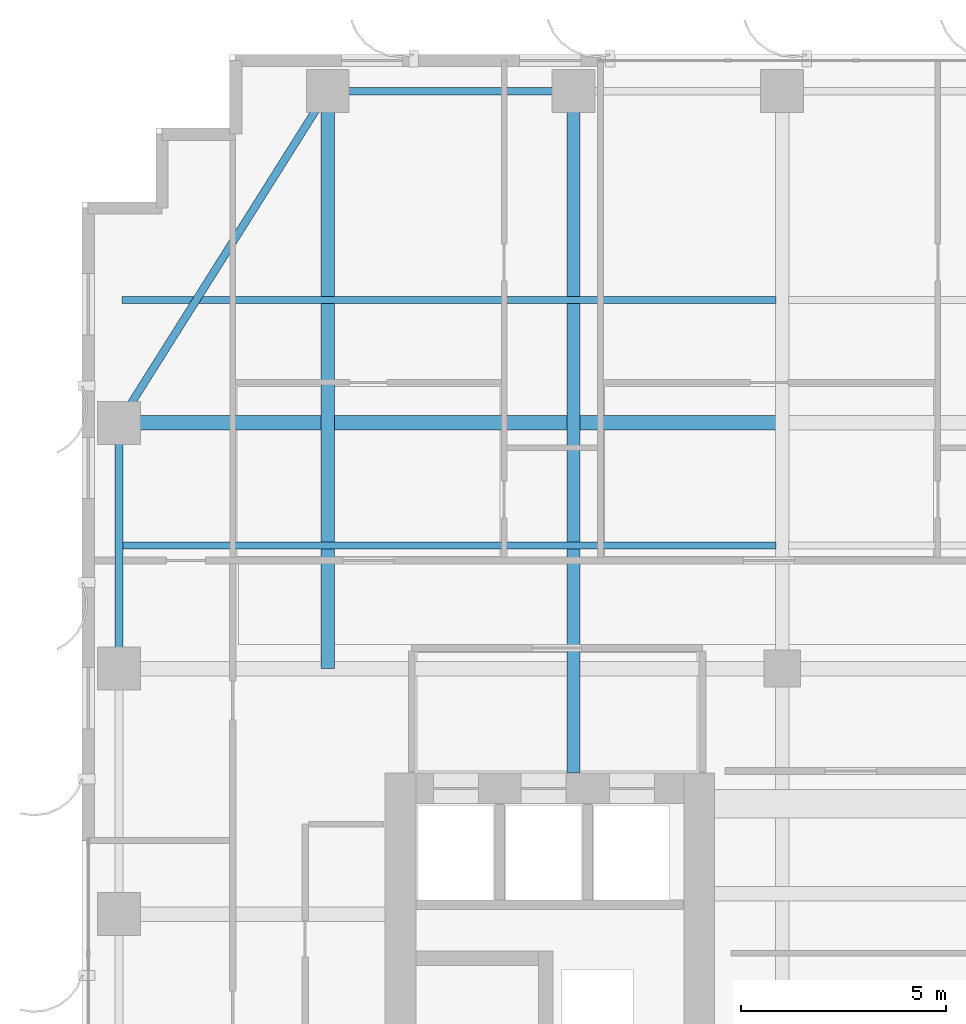
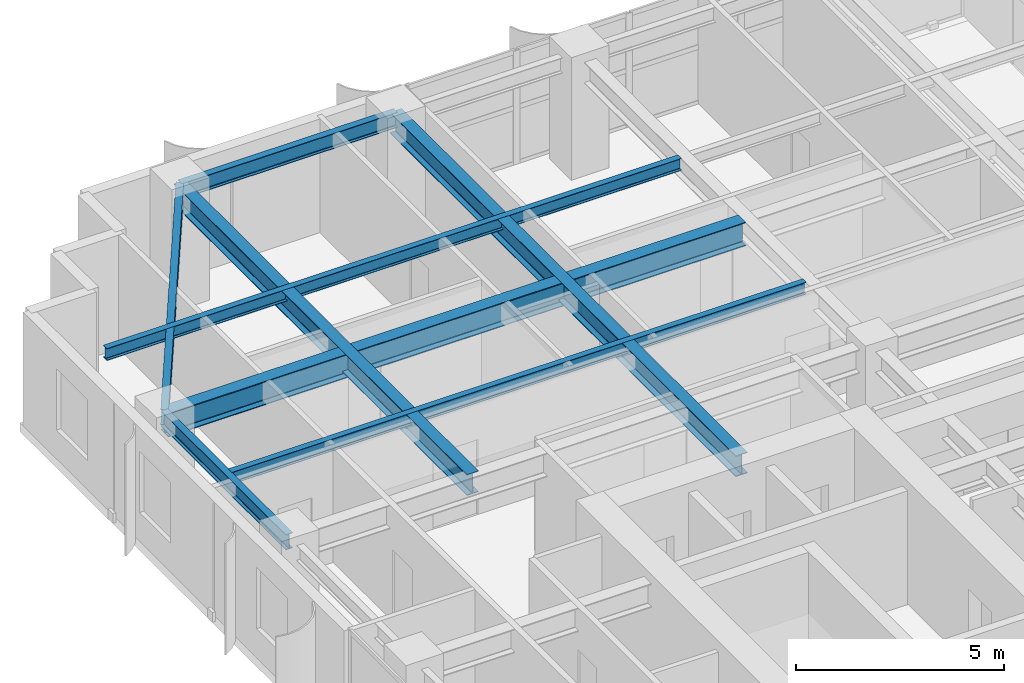
# One storey, part 8 of 22: 8 beams.
"""IFC4 building model written with IfcOpenShell, lengths in metres."""

from ifc_helpers import new_model, si_unit, direction, frame, origin, origin_2d, place, context, subcontext, project, spatial, i_section, extrude, source, transform, mapped, material, material_profile, profile_set, type_object, element, save


model = new_model("IFC4")

# Units and contexts
model_context = context("Model", 3, precision=1e-05, world=origin(), true_north=direction((0.0, 1.0)))
body_context = subcontext(model_context, "Body", "Model", "MODEL_VIEW")
ifc_project = project(units=[si_unit("LENGTHUNIT", "METRE"), si_unit("AREAUNIT", "SQUARE_METRE"), si_unit("VOLUMEUNIT", "CUBIC_METRE"), si_unit("PLANEANGLEUNIT", "RADIAN"), si_unit("MASSUNIT", "GRAM", prefix="KILO")], contexts=[model_context])

# Site, building, storey
site_placement = place(None, origin())
site = spatial("IfcSite", under=ifc_project, at=site_placement, CompositionType="ELEMENT")
building_placement = place(site_placement, origin())
building = spatial("IfcBuilding", under=site, at=building_placement, Name="Khoralis Quay Care Tower", CompositionType="ELEMENT")
storey_placement = place(building_placement, frame((0.0, 0.0, 94.5)))
storey = spatial("IfcBuildingStorey", under=building, at=storey_placement, Name="L24", CompositionType="ELEMENT", Elevation=94.5)

# Beams
ifc_material = material(Name="Steel S355", Category="steel")
ifc_material_profile_1 = material_profile(ifc_material, i_section(OverallWidth=0.18994140625, OverallDepth=0.449951171875, WebThickness=0.009521484375, FlangeThickness=0.0146484375, FilletRadius=0.02099609375, at=origin_2d()), Name="Steel S355")
ifc_profile_set_1 = profile_set([ifc_material_profile_1], Name="Steel S355")
beam_type_1 = type_object("IfcBeamType", Name="BM-IPE450", PredefinedType="SPANDREL", material=ifc_profile_set_1)
shared_shape_1 = source(origin(), body_context, "Body", "SweptSolid", [
    extrude(i_section(OverallWidth=0.18994140625, OverallDepth=0.449951171875, WebThickness=0.009521484375, FlangeThickness=0.0146484375, FilletRadius=0.02099609375, at=origin_2d()), origin(), (0.0, 0.0, 1.0), 6.0),
])
for number, where, z_axis, x_axis, name in (
    (1, (6.0, 44.10009765625, 3.114990234375), (1.0, 0.0, 0.0), (0.0, 1.0, 0.0), "BM-TSP-L24-06"),
    (2, (0.89990234375, 30.0, 3.114990234375), (0.0, 1.0, 0.0), (-1.0, 0.0, 0.0), "BM-TSP-L24-15"),
):
    element("IfcBeam", number, at=place(storey_placement, frame(where, z_axis=z_axis, x_axis=x_axis)), inside=storey, type_object=beam_type_1, Name=name, PredefinedType="SPANDREL", context=body_context, shape_type="MappedRepresentation", body=[
        mapped(shared_shape_1, transform((0.0, 0.0, 0.0), scale=1.0)),
    ])
ifc_material_profile_2 = material_profile(ifc_material, i_section(OverallWidth=0.35498046875, OverallDepth=0.695068359375, WebThickness=0.015380859375, FlangeThickness=0.02490234375, FilletRadius=0.02001953125, at=origin_2d()), Name="Steel S355")
ifc_profile_set_2 = profile_set([ifc_material_profile_2], Name="Steel S355")
beam_type_2 = type_object("IfcBeamType", Name="BM-W690X217", PredefinedType="BEAM", material=ifc_profile_set_2)
shared_shape_2 = source(origin(), body_context, "Body", "SweptSolid", [
    extrude(i_section(OverallWidth=0.35498046875, OverallDepth=0.695068359375, WebThickness=0.015380859375, FlangeThickness=0.02490234375, FilletRadius=0.02001953125, at=origin_2d()), origin(), (0.0, 0.0, 1.0), 16.049560546875),
])
beam_1_placement = place(storey_placement, frame((0.89990234375, 36.0, 2.992431640625), z_axis=(1.0, 0.0, 0.0), x_axis=(0.0, 1.0, 0.0)))
element("IfcBeam", 3, at=beam_1_placement, inside=storey, type_object=beam_type_2, Name="BM-TGXW-L24-360", PredefinedType="BEAM", context=body_context, shape_type="MappedRepresentation", body=[
    mapped(shared_shape_2, transform((0.0, 0.0, 0.0), scale=1.0)),
])
ifc_material_profile_3 = material_profile(ifc_material, i_section(OverallWidth=0.1708984375, OverallDepth=0.35498046875, WebThickness=0.007080078125, FlangeThickness=0.01171875, FilletRadius=0.012939453125, at=origin_2d()), Name="Steel S355")
ifc_profile_set_3 = profile_set([ifc_material_profile_3], Name="Steel S355")
beam_type_3 = type_object("IfcBeamType", Name="BM-W360X51", PredefinedType="JOIST", material=ifc_profile_set_3)
shared_shape_3 = source(origin(), body_context, "Body", "SweptSolid", [
    extrude(i_section(OverallWidth=0.1708984375, OverallDepth=0.35498046875, WebThickness=0.007080078125, FlangeThickness=0.01171875, FilletRadius=0.012939453125, at=origin_2d()), origin(), (0.0, 0.0, 1.0), 15.968505859375),
])
for number, where, z_axis, x_axis, name in (
    (4, (0.98095703125, 33.0, 3.16259765625), (1.0, 0.0, 0.0), (0.0, 1.0, 0.0), "BM-TJS-L24-28"),
    (5, (0.98095703125, 39.0, 3.16259765625), (1.0, 0.0, 0.0), (0.0, 1.0, 0.0), "BM-TJS-L24-31"),
):
    element("IfcBeam", number, at=place(storey_placement, frame(where, z_axis=z_axis, x_axis=x_axis)), inside=storey, type_object=beam_type_3, Name=name, PredefinedType="JOIST", context=body_context, shape_type="MappedRepresentation", body=[
        mapped(shared_shape_3, transform((0.0, 0.0, 0.0), scale=1.0)),
    ])
shared_shape_4 = source(origin(), body_context, "Body", "SweptSolid", [
    extrude(i_section(OverallWidth=0.18994140625, OverallDepth=0.449951171875, WebThickness=0.009521484375, FlangeThickness=0.0146484375, FilletRadius=0.02099609375, at=origin_2d()), origin(), (0.0, 0.0, 1.0), 9.572021484375),
])
beam_2_placement = place(storey_placement, frame((6.0, 44.10009765625, 3.114990234375), z_axis=(-0.532815975602, -0.846231136359, 0.0), x_axis=(0.846231136359, -0.532815975602, 0.0)))
element("IfcBeam", 6, at=beam_2_placement, inside=storey, type_object=beam_type_1, Name="BM-TCR-L24-23", PredefinedType="SPANDREL", context=body_context, shape_type="MappedRepresentation", body=[
    mapped(shared_shape_4, transform((0.0, 0.0, 0.0), scale=1.0)),
])
ifc_material_profile_4 = material_profile(ifc_material, i_section(OverallWidth=0.324951171875, OverallDepth=0.615966796875, WebThickness=0.013916015625, FlangeThickness=0.021484375, FilletRadius=0.01806640625, at=origin_2d()), Name="Steel S355")
ifc_profile_set_4 = profile_set([ifc_material_profile_4], Name="Steel S355")
beam_type_4 = type_object("IfcBeamType", Name="BM-W610X174", PredefinedType="BEAM", material=ifc_profile_set_4)
shared_shape_5 = source(origin(), body_context, "Body", "SweptSolid", [
    extrude(i_section(OverallWidth=0.324951171875, OverallDepth=0.615966796875, WebThickness=0.013916015625, FlangeThickness=0.021484375, FilletRadius=0.01806640625, at=origin_2d()), origin(), (0.0, 0.0, 1.0), 14.10009765625),
])
beam_3_placement = place(storey_placement, frame((6.0, 30.0, 3.031982421875), z_axis=(0.0, 1.0, 0.0), x_axis=(-1.0, 0.0, 0.0)))
element("IfcBeam", 7, at=beam_3_placement, inside=storey, type_object=beam_type_4, Name="BM-TGYN-L24-60", PredefinedType="BEAM", context=body_context, shape_type="MappedRepresentation", body=[
    mapped(shared_shape_5, transform((0.0, 0.0, 0.0), scale=1.0)),
])
shared_shape_6 = source(origin(), body_context, "Body", "SweptSolid", [
    extrude(i_section(OverallWidth=0.324951171875, OverallDepth=0.615966796875, WebThickness=0.013916015625, FlangeThickness=0.021484375, FilletRadius=0.01806640625, at=origin_2d()), origin(), (0.0, 0.0, 1.0), 16.652099609375),
])
beam_4_placement = place(storey_placement, frame((12.0, 27.447998046875, 3.031982421875), z_axis=(0.0, 1.0, 0.0), x_axis=(-1.0, 0.0, 0.0)))
element("IfcBeam", 8, at=beam_4_placement, inside=storey, type_object=beam_type_4, Name="BM-TGYN-L24-120", PredefinedType="BEAM", context=body_context, shape_type="MappedRepresentation", body=[
    mapped(shared_shape_6, transform((0.0, 0.0, 0.0), scale=1.0)),
])

save(model, "model.ifc")
